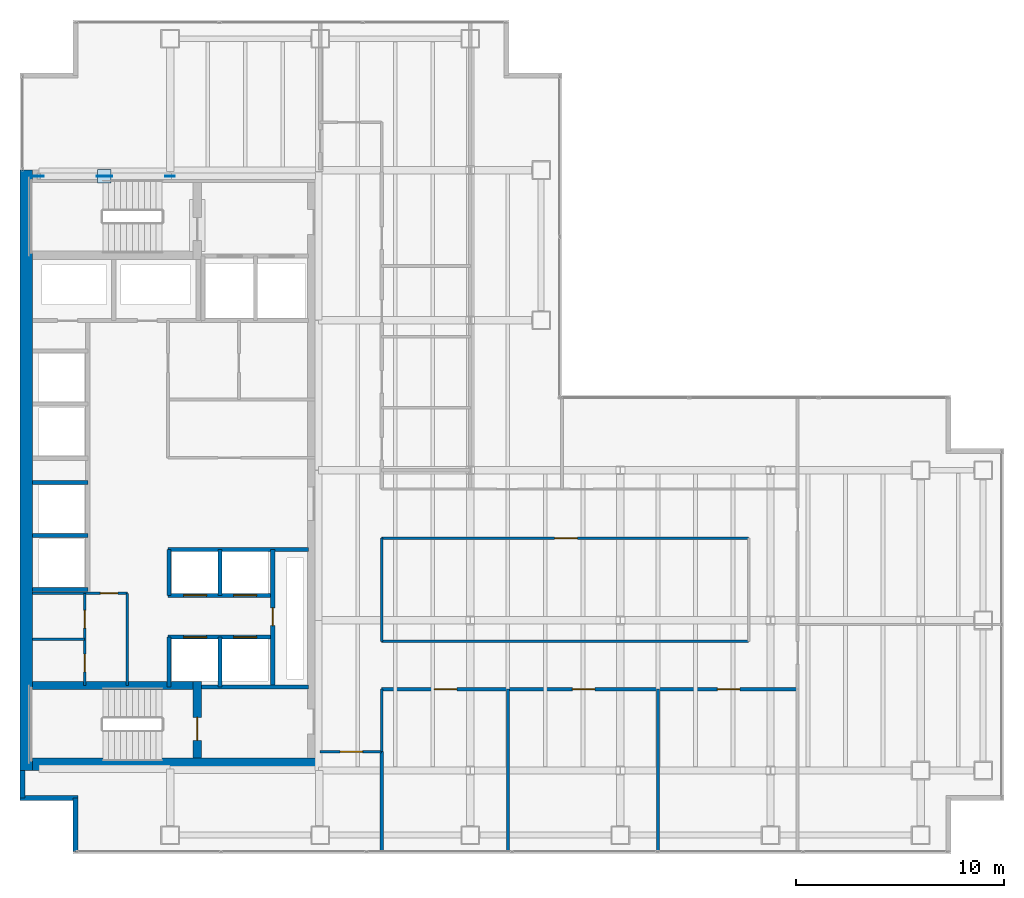
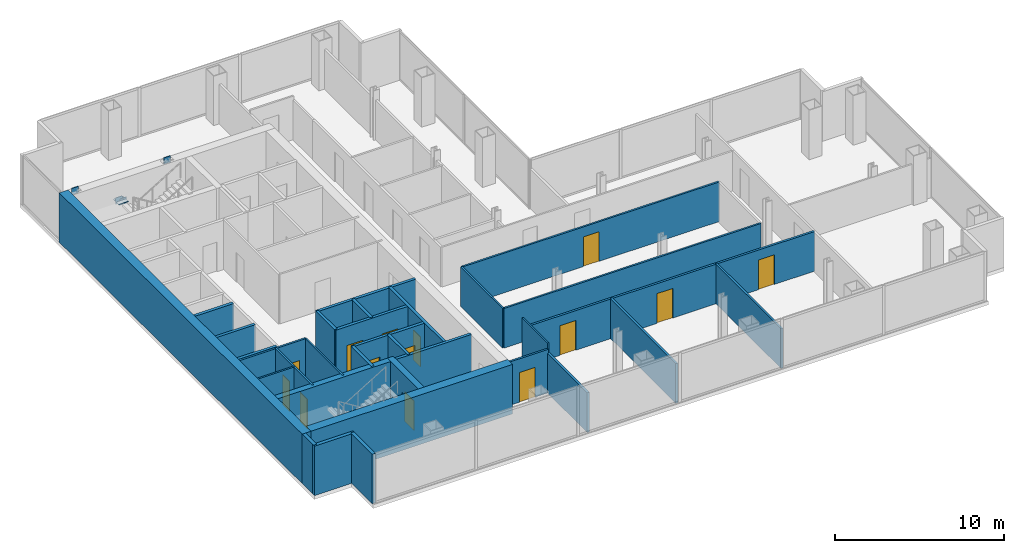
# One storey, part 20 of 23: 32 walls, 14 doors, 5 plates, 14 openings.
"""IFC4 building model written with IfcOpenShell, lengths in metres."""

from ifc_helpers import new_model, si_unit, direction, frame, frame_2d, origin, origin_2d, place, context, subcontext, project, spatial, rectangle, extrude, material, layer, layer_set, type_object, element, fill, save


model = new_model("IFC4")

# Units and contexts
model_context = context("Model", 3, precision=1e-05, world=origin(), true_north=direction((0.0, 1.0)))
body_context = subcontext(model_context, "Body", "Model", "MODEL_VIEW")
ifc_project = project(units=[si_unit("LENGTHUNIT", "METRE"), si_unit("AREAUNIT", "SQUARE_METRE"), si_unit("VOLUMEUNIT", "CUBIC_METRE"), si_unit("PLANEANGLEUNIT", "RADIAN"), si_unit("MASSUNIT", "GRAM", prefix="KILO")], contexts=[model_context])

# Site, building, storey
site_placement = place(None, origin())
site = spatial("IfcSite", under=ifc_project, at=site_placement, CompositionType="ELEMENT")
building_placement = place(site_placement, origin())
building = spatial("IfcBuilding", under=site, at=building_placement, Name="Cobrela Telecom Tower", CompositionType="ELEMENT")
storey_placement = place(building_placement, frame((0.0, 0.0, 133.0)))
storey = spatial("IfcBuildingStorey", under=building, at=storey_placement, Name="L33", CompositionType="ELEMENT", Elevation=133.0)

# Plates
ifc_material_1 = material(Name="Steel ASTM A572 Grade 50", Category="steel")
ifc_layer_1 = layer(ifc_material_1, 0.0419921875)
ifc_layer_set_1 = layer_set([ifc_layer_1], Name="Steel ASTM A572 Grade 50")
plate_type = type_object("IfcPlateType", Name="PLT-NODE-ND1", PredefinedType="USERDEFINED", material=ifc_layer_set_1)
for number, where, z_axis, x_axis, name in (
    (1, (7.199951171875, 35.699951171875, 3.39013671875), (0.0, 0.0, 1.0), (1.0, 0.0, 0.0), "Steel node plate PLT-MBR-EXO-L33-N1-A-1"),
    (2, (4.1953125, 35.699951171875, 1.4755859375), (0.0, 0.0, 1.0), (-1.0, 0.0, 0.0), "Steel node plate PLT-MBR-EXO-L33-N1-B1-1"),
    (3, (3.90478515625, 35.699951171875, 1.64453125), (0.0, 0.0, 1.0), (-1.0, 0.0, 0.0), "Steel node plate PLT-MBR-EXO-L33-N1-B2-0"),
    (4, (0.89990234375, 35.699951171875, 3.39013671875), (0.0, 0.0, 1.0), (-1.0, 0.0, 0.0), "Steel node plate PLT-MBR-EXO-L33-N1-B2-1"),
):
    element("IfcPlate", number, at=place(storey_placement, frame(where, z_axis=z_axis, x_axis=x_axis)), inside=storey, type_object=plate_type, Name=name, ObjectType="GUSSET PLATE", PredefinedType="USERDEFINED", context=body_context, shape_type="SweptSolid", body=[
        extrude(rectangle(XDim=0.4599609375, YDim=0.044921875, at=origin_2d()), origin(), (0.0, 0.0, 1.0), 0.4599609375),
    ])
plate_placement = place(storey_placement, frame((4.050048828125, 35.699951171875, 1.767578125), z_axis=(0.0, 0.0, 1.0), x_axis=(1.0, 0.0, 0.0)))
element("IfcPlate", 5, at=plate_placement, inside=storey, type_object=plate_type, Name="L33 Core Flange Steel X-Brace Central X-Crossing Gusset Plate", ObjectType="GUSSET PLATE", PredefinedType="USERDEFINED", context=body_context, shape_type="SweptSolid", body=[
    extrude(rectangle(XDim=0.64990234375, YDim=0.64990234375, at=origin_2d()), origin(), (0.0, 0.0, 1.0), 0.044921875),
])

# Walls
ifc_material_2 = material(Name="Concrete C50/60", Category="concrete")
ifc_layer_2 = layer(ifc_material_2, 0.60009765625)
ifc_layer_set_2 = layer_set([ifc_layer_2], Name="Concrete C50/60")
wall_type_1 = type_object("IfcWallType", Name="WALL-CORE-C50-600", PredefinedType="SHEAR", material=ifc_layer_set_2)
wall_1_placement = place(storey_placement, frame((0.300048828125, 7.199951171875, 0.0), z_axis=(0.0, 0.0, 1.0), x_axis=(0.0, 1.0, 0.0)))
element("IfcWall", 6, at=wall_1_placement, inside=storey, type_object=wall_type_1, Name="L33 West Core Shear Wall", PredefinedType="SHEAR", context=body_context, shape_type="SweptSolid", body=[
    extrude(rectangle(XDim=28.800048828125, YDim=0.60009765625, at=frame_2d((14.39990234375, 0.0))), origin(), (0.0, 0.0, 1.0), 3.580078125),
])
wall_2_placement = place(storey_placement, frame((0.60009765625, 7.5, 0.0), z_axis=(0.0, 0.0, 1.0), x_axis=(1.0, 0.0, 0.0)))
element("IfcWall", 7, at=wall_2_placement, inside=storey, type_object=wall_type_1, Name="L33 South Core Shear Wall", PredefinedType="SHEAR", context=body_context, shape_type="SweptSolid", body=[
    extrude(rectangle(XDim=13.7998046875, YDim=0.60009765625, at=frame_2d((6.89990234375, 0.0))), origin(), (0.0, 0.0, 1.0), 3.580078125),
])
ifc_material_3 = material(Name="Concrete C40/50", Category="concrete")
ifc_layer_3 = layer(ifc_material_3, 0.239990234375)
ifc_layer_set_3 = layer_set([ifc_layer_3], Name="Concrete C40/50")
wall_type_2 = type_object("IfcWallType", Name="WALL-EXT-300", PredefinedType="STANDARD", material=ifc_layer_set_3)
wall_3_placement = place(storey_placement, frame((2.669921875, 3.320068359375, 0.0), z_axis=(0.0, 0.0, 1.0), x_axis=(0.0, 1.0, 0.0)))
element("IfcWall", 8, at=wall_3_placement, inside=storey, type_object=wall_type_2, Name="L33 Insulated Facade Wall 01", PredefinedType="STANDARD", context=body_context, shape_type="SweptSolid", body=[
    extrude(rectangle(XDim=2.550048828125, YDim=0.239990234375, at=frame_2d((1.27490234375, 0.0))), origin(), (0.0, 0.0, 1.0), 3.580078125),
])
wall_4_placement = place(storey_placement, frame((2.7900390625, 5.8701171875, 0.0), z_axis=(0.0, 0.0, 1.0), x_axis=(-1.0, 0.0, 0.0)))
element("IfcWall", 9, at=wall_4_placement, inside=storey, type_object=wall_type_2, Name="L33 Insulated Facade Wall 02", PredefinedType="STANDARD", context=body_context, shape_type="SweptSolid", body=[
    extrude(rectangle(XDim=2.7900390625, YDim=0.239990234375, at=frame_2d((1.39501953125, 0.0))), origin(), (0.0, 0.0, 1.0), 3.580078125),
])
wall_5_placement = place(storey_placement, frame((0.1201171875, 5.8701171875, 0.0), z_axis=(0.0, 0.0, 1.0), x_axis=(0.0, 1.0, 0.0)))
element("IfcWall", 10, at=wall_5_placement, inside=storey, type_object=wall_type_2, Name="L33 Insulated Facade Wall 03", PredefinedType="STANDARD", context=body_context, shape_type="SweptSolid", body=[
    extrude(rectangle(XDim=1.329833984375, YDim=0.239990234375, at=frame_2d((0.6650390625, 0.0))), origin(), (0.0, 0.0, 1.0), 3.580078125),
])
ifc_material_4 = material(Name="Fire-Rated Gypsum Plasterboard")
ifc_layer_4 = layer(ifc_material_4, 0.110107421875)
ifc_layer_set_4 = layer_set([ifc_layer_4], Name="Fire-Rated Gypsum Plasterboard")
wall_type_3 = type_object("IfcWallType", Name="WALL-PART-110", PredefinedType="PARTITIONING", material=ifc_layer_set_4)
wall_6_placement = place(storey_placement, frame((5.14990234375, 11.280029296875, 0.0), z_axis=(0.0, 0.0, 1.0), x_axis=(0.0, 1.0, 0.0)))
element("IfcWall", 11, at=wall_6_placement, inside=storey, type_object=wall_type_3, Name="L33 Interior Partition CW-FLEX-E", PredefinedType="PARTITIONING", context=body_context, shape_type="SweptSolid", body=[
    extrude(rectangle(XDim=4.419921875, YDim=0.110107421875, at=frame_2d((2.2099609375, 0.0))), origin(), (0.0, 0.0, 1.0), 3.580078125),
])
wall_7_placement = place(storey_placement, frame((17.35009765625, 8.10009765625, 0.0), z_axis=(0.0, 0.0, 1.0), x_axis=(0.0, 1.0, 0.0)))
element("IfcWall", 12, at=wall_7_placement, inside=storey, type_object=wall_type_3, Name="L33 Interior Partition W-UW-E1", PredefinedType="PARTITIONING", context=body_context, shape_type="SweptSolid", body=[
    extrude(rectangle(XDim=3.0, YDim=0.110107421875, at=frame_2d((1.5, 0.0))), origin(), (0.0, 0.0, 1.0), 3.580078125),
])
ifc_layer_5 = layer(ifc_material_4, 0.125)
ifc_layer_set_5 = layer_set([ifc_layer_5], Name="Fire-Rated Gypsum Plasterboard")
wall_type_4 = type_object("IfcWallType", Name="WALL-PART-125", PredefinedType="PARTITIONING", material=ifc_layer_set_5)
wall_8_placement = place(storey_placement, frame((0.60009765625, 13.5, 0.0), z_axis=(0.0, 0.0, 1.0), x_axis=(1.0, 0.0, 0.0)))
element("IfcWall", 13, at=wall_8_placement, inside=storey, type_object=wall_type_4, Name="L33 Interior Partition CW-FK3-H", PredefinedType="PARTITIONING", context=body_context, shape_type="SweptSolid", body=[
    extrude(rectangle(XDim=2.5, YDim=0.125, at=frame_2d((1.25, 0.0))), origin(), (0.0, 0.0, 1.0), 3.580078125),
])

# Wall, openings, doors
wall_9_placement = place(storey_placement, frame((3.10009765625, 11.280029296875, 0.0), z_axis=(0.0, 0.0, 1.0), x_axis=(0.0, 1.0, 0.0)))
wall_9 = element("IfcWall", 14, at=wall_9_placement, inside=storey, type_object=wall_type_4, Name="L33 Interior Partition CW-FK3-V", PredefinedType="PARTITIONING", context=body_context, shape_type="SweptSolid", body=[
    extrude(rectangle(XDim=4.419921875, YDim=0.125, at=frame_2d((2.2099609375, 0.0))), origin(), (0.0, 0.0, 1.0), 3.580078125),
])
opening_1_placement = place(wall_9_placement, frame((0.64990234375, 0.0, 0.0)))
opening_1 = element("IfcOpeningElement", 15, at=opening_1_placement, cuts=wall_9, Name="Opening DR-11", PredefinedType="OPENING", context=body_context, shape_type="SweptSolid", body=[
    extrude(rectangle(XDim=0.85009765625, YDim=2.14990234375, at=frame_2d((0.425048828125, 1.074951171875))), frame((0.0, 0.074462890625, 0.0), z_axis=(0.0, -1.0, 0.0), x_axis=(1.0, 0.0, 0.0)), (0.0, 0.0, 1.0), 0.14892578125),
])
opening_2_placement = place(wall_9_placement, frame((2.75, 0.0, 0.0)))
opening_2 = element("IfcOpeningElement", 16, at=opening_2_placement, cuts=wall_9, Name="Opening DR-11", PredefinedType="OPENING", context=body_context, shape_type="SweptSolid", body=[
    extrude(rectangle(XDim=0.85009765625, YDim=2.14990234375, at=frame_2d((0.425048828125, 1.074951171875))), frame((0.0, 0.074462890625, 0.0), z_axis=(0.0, -1.0, 0.0), x_axis=(1.0, 0.0, 0.0)), (0.0, 0.0, 1.0), 0.14892578125),
])
ifc_material_5 = material(Name="Solid Engineered Oak Timber", Category="wood")
door_type_1 = type_object("IfcDoorType", Name="DOOR-INT-850", OperationType="SINGLE_SWING_LEFT", PredefinedType="DOOR", material=ifc_material_5)
door_1_placement = place(opening_1_placement, origin())
door_1 = element("IfcDoor", 17, at=door_1_placement, inside=storey, type_object=door_type_1, Name="L33 Door DR-11", OperationType="SINGLE_SWING_LEFT", OverallHeight=2.14990234375, OverallWidth=0.85009765625, PredefinedType="DOOR", context=body_context, shape_type="SweptSolid", body=[
    extrude(rectangle(XDim=0.85009765625, YDim=2.14990234375, at=frame_2d((0.425048828125, 1.074951171875))), frame((0.0, 0.02490234375, 0.0), z_axis=(0.0, -1.0, 0.0), x_axis=(1.0, 0.0, 0.0)), (0.0, 0.0, 1.0), 0.050048828125),
])
fill(opening_1, door_1)
door_2_placement = place(opening_2_placement, origin())
door_2 = element("IfcDoor", 18, at=door_2_placement, inside=storey, type_object=door_type_1, Name="L33 Door DR-11", OperationType="SINGLE_SWING_RIGHT", OverallHeight=2.14990234375, OverallWidth=0.85009765625, PredefinedType="DOOR", context=body_context, shape_type="SweptSolid", body=[
    extrude(rectangle(XDim=0.85009765625, YDim=2.14990234375, at=frame_2d((0.425048828125, 1.074951171875))), frame((0.0, 0.02490234375, 0.0), z_axis=(0.0, -1.0, 0.0), x_axis=(1.0, 0.0, 0.0)), (0.0, 0.0, 1.0), 0.050048828125),
])
fill(opening_2, door_2)

# Walls
wall_10_placement = place(storey_placement, frame((17.35009765625, 13.39990234375, 0.0), z_axis=(0.0, 0.0, 1.0), x_axis=(0.0, 1.0, 0.0)))
element("IfcWall", 19, at=wall_10_placement, inside=storey, type_object=wall_type_4, Name="L33 Interior Partition W-ISL-W", PredefinedType="PARTITIONING", context=body_context, shape_type="SweptSolid", body=[
    extrude(rectangle(XDim=4.9501953125, YDim=0.125, at=frame_2d((2.47509765625, 0.0))), origin(), (0.0, 0.0, 1.0), 2.868896484375),
])
wall_11_placement = place(storey_placement, frame((17.35009765625, 13.39990234375, 0.0), z_axis=(0.0, 0.0, 1.0), x_axis=(1.0, 0.0, 0.0)))
element("IfcWall", 20, at=wall_11_placement, inside=storey, type_object=wall_type_4, Name="L33 Interior Partition W-ISL-S", PredefinedType="PARTITIONING", context=body_context, shape_type="SweptSolid", body=[
    extrude(rectangle(XDim=17.599853515625, YDim=0.125, at=frame_2d((8.7998046875, 0.0))), origin(), (0.0, 0.0, 1.0), 2.868896484375),
])

# Wall, opening, door
wall_12_placement = place(storey_placement, frame((17.35009765625, 18.35009765625, 0.0), z_axis=(0.0, 0.0, 1.0), x_axis=(1.0, 0.0, 0.0)))
wall_12 = element("IfcWall", 21, at=wall_12_placement, inside=storey, type_object=wall_type_4, Name="L33 Interior Partition W-ISL-N", PredefinedType="PARTITIONING", context=body_context, shape_type="SweptSolid", body=[
    extrude(rectangle(XDim=17.599853515625, YDim=0.125, at=frame_2d((8.7998046875, 0.0))), origin(), (0.0, 0.0, 1.0), 2.868896484375),
])
opening_3_placement = place(wall_12_placement, frame((8.300048828125, 0.0, 0.0)))
opening_3 = element("IfcOpeningElement", 22, at=opening_3_placement, cuts=wall_12, Name="Opening DR-63", PredefinedType="OPENING", context=body_context, shape_type="SweptSolid", body=[
    extrude(rectangle(XDim=1.080078125, YDim=2.14990234375, at=frame_2d((0.5400390625, 1.074951171875))), frame((0.0, 0.074462890625, 0.0), z_axis=(0.0, -1.0, 0.0), x_axis=(1.0, 0.0, 0.0)), (0.0, 0.0, 1.0), 0.14892578125),
])
door_type_2 = type_object("IfcDoorType", Name="DOOR-INT-1080", OperationType="SINGLE_SWING_LEFT", PredefinedType="DOOR", material=ifc_material_5)
door_3_placement = place(opening_3_placement, origin())
door_3 = element("IfcDoor", 23, at=door_3_placement, inside=storey, type_object=door_type_2, Name="L33 Door DR-63", OperationType="SINGLE_SWING_LEFT", OverallHeight=2.14990234375, OverallWidth=1.080078125, PredefinedType="DOOR", context=body_context, shape_type="SweptSolid", body=[
    extrude(rectangle(XDim=1.080078125, YDim=2.14990234375, at=frame_2d((0.5400390625, 1.074951171875))), frame((0.0, 0.02490234375, 0.0), z_axis=(0.0, -1.0, 0.0), x_axis=(1.0, 0.0, 0.0)), (0.0, 0.0, 1.0), 0.050048828125),
])
fill(opening_3, door_3)

ifc_layer_6 = layer(ifc_material_4, 0.135009765625)
ifc_layer_set_6 = layer_set([ifc_layer_6], Name="Fire-Rated Gypsum Plasterboard")
wall_type_5 = type_object("IfcWallType", Name="WALL-PART-135", PredefinedType="PARTITIONING", material=ifc_layer_set_6)
wall_13_placement = place(storey_placement, frame((0.60009765625, 15.699951171875, 0.0), z_axis=(0.0, 0.0, 1.0), x_axis=(1.0, 0.0, 0.0)))
wall_13 = element("IfcWall", 24, at=wall_13_placement, inside=storey, type_object=wall_type_5, Name="L33 Interior Partition CW-FLEX-N", PredefinedType="PARTITIONING", context=body_context, shape_type="SweptSolid", body=[
    extrude(rectangle(XDim=4.5498046875, YDim=0.135009765625, at=frame_2d((2.27490234375, 0.0))), origin(), (0.0, 0.0, 1.0), 3.580078125),
])
opening_4_placement = place(wall_13_placement, frame((3.25, 0.0, 0.0)))
opening_4 = element("IfcOpeningElement", 25, at=opening_4_placement, cuts=wall_13, Name="Opening DR-11", PredefinedType="OPENING", context=body_context, shape_type="SweptSolid", body=[
    extrude(rectangle(XDim=0.85009765625, YDim=2.14990234375, at=frame_2d((0.425048828125, 1.074951171875))), frame((0.0, 0.07958984375, 0.0), z_axis=(0.0, -1.0, 0.0), x_axis=(1.0, 0.0, 0.0)), (0.0, 0.0, 1.0), 0.158935546875),
])
door_4_placement = place(opening_4_placement, origin())
door_4 = element("IfcDoor", 26, at=door_4_placement, inside=storey, type_object=door_type_1, Name="L33 Door DR-11", OperationType="SINGLE_SWING_LEFT", OverallHeight=2.14990234375, OverallWidth=0.85009765625, PredefinedType="DOOR", context=body_context, shape_type="SweptSolid", body=[
    extrude(rectangle(XDim=0.85009765625, YDim=2.14990234375, at=frame_2d((0.425048828125, 1.074951171875))), frame((0.0, 0.02490234375, 0.0), z_axis=(0.0, -1.0, 0.0), x_axis=(1.0, 0.0, 0.0)), (0.0, 0.0, 1.0), 0.050048828125),
])
fill(opening_4, door_4)

wall_14_placement = place(storey_placement, frame((14.39990234375, 8.10009765625, 0.0), z_axis=(0.0, 0.0, 1.0), x_axis=(1.0, 0.0, 0.0)))
wall_14 = element("IfcWall", 27, at=wall_14_placement, inside=storey, type_object=wall_type_5, Name="L33 Interior Partition W-UW-S0", PredefinedType="PARTITIONING", context=body_context, shape_type="SweptSolid", body=[
    extrude(rectangle(XDim=2.9501953125, YDim=0.135009765625, at=frame_2d((1.47509765625, 0.0))), origin(), (0.0, 0.0, 1.0), 3.14794921875),
])
opening_5_placement = place(wall_14_placement, frame((0.949951171875, 0.0, 0.0)))
opening_5 = element("IfcOpeningElement", 28, at=opening_5_placement, cuts=wall_14, Name="Opening DR-63", PredefinedType="OPENING", context=body_context, shape_type="SweptSolid", body=[
    extrude(rectangle(XDim=1.080078125, YDim=2.14990234375, at=frame_2d((0.5400390625, 1.074951171875))), frame((0.0, 0.07958984375, 0.0), z_axis=(0.0, -1.0, 0.0), x_axis=(1.0, 0.0, 0.0)), (0.0, 0.0, 1.0), 0.158935546875),
])
door_5_placement = place(opening_5_placement, origin())
door_5 = element("IfcDoor", 29, at=door_5_placement, inside=storey, type_object=door_type_2, Name="L33 Door DR-63", OperationType="SINGLE_SWING_RIGHT", OverallHeight=2.14990234375, OverallWidth=1.080078125, PredefinedType="DOOR", context=body_context, shape_type="SweptSolid", body=[
    extrude(rectangle(XDim=1.080078125, YDim=2.14990234375, at=frame_2d((0.5400390625, 1.074951171875))), frame((0.0, 0.02490234375, 0.0), z_axis=(0.0, -1.0, 0.0), x_axis=(1.0, 0.0, 0.0)), (0.0, 0.0, 1.0), 0.050048828125),
])
fill(opening_5, door_5)

# Wall
wall_15_placement = place(storey_placement, frame((30.60009765625, 3.320068359375, 0.0), z_axis=(0.0, 0.0, 1.0), x_axis=(0.0, 1.0, 0.0)))
element("IfcWall", 30, at=wall_15_placement, inside=storey, type_object=wall_type_5, Name="L33 Interior Partition W-USV-2", PredefinedType="PARTITIONING", context=body_context, shape_type="SweptSolid", body=[
    extrude(rectangle(XDim=7.780029296875, YDim=0.135009765625, at=frame_2d((3.89013671875, 0.0))), origin(), (0.0, 0.0, 1.0), 2.868896484375),
])

# Wall, openings, doors
ifc_layer_7 = layer(ifc_material_4, 0.14990234375)
ifc_layer_set_7 = layer_set([ifc_layer_7], Name="Fire-Rated Gypsum Plasterboard")
wall_type_6 = type_object("IfcWallType", Name="WALL-PART-150", PredefinedType="PARTITIONING", material=ifc_layer_set_7)
wall_16_placement = place(storey_placement, frame((17.35009765625, 11.10009765625, 0.0), z_axis=(0.0, 0.0, 1.0), x_axis=(1.0, 0.0, 0.0)))
wall_16 = element("IfcWall", 31, at=wall_16_placement, inside=storey, type_object=wall_type_6, Name="L33 Interior Partition W-US-S", PredefinedType="PARTITIONING", context=body_context, shape_type="SweptSolid", body=[
    extrude(rectangle(XDim=19.949951171875, YDim=0.14990234375, at=frame_2d((9.97509765625, 0.0))), origin(), (0.0, 0.0, 1.0), 2.868896484375),
])
opening_6_placement = place(wall_16_placement, frame((2.52001953125, 0.0, 0.0)))
opening_6 = element("IfcOpeningElement", 32, at=opening_6_placement, cuts=wall_16, Name="Opening DR-63", PredefinedType="OPENING", context=body_context, shape_type="SweptSolid", body=[
    extrude(rectangle(XDim=1.080078125, YDim=2.14990234375, at=frame_2d((0.5400390625, 1.074951171875))), frame((0.0, 0.0869140625, 0.0), z_axis=(0.0, -1.0, 0.0), x_axis=(1.0, 0.0, 0.0)), (0.0, 0.0, 1.0), 0.173828125),
])
opening_7_placement = place(wall_16_placement, frame((9.14990234375, 0.0, 0.0)))
opening_7 = element("IfcOpeningElement", 33, at=opening_7_placement, cuts=wall_16, Name="Opening DR-63", PredefinedType="OPENING", context=body_context, shape_type="SweptSolid", body=[
    extrude(rectangle(XDim=1.080078125, YDim=2.14990234375, at=frame_2d((0.5400390625, 1.074951171875))), frame((0.0, 0.0869140625, 0.0), z_axis=(0.0, -1.0, 0.0), x_axis=(1.0, 0.0, 0.0)), (0.0, 0.0, 1.0), 0.173828125),
])
opening_8_placement = place(wall_16_placement, frame((16.10009765625, 0.0, 0.0)))
opening_8 = element("IfcOpeningElement", 34, at=opening_8_placement, cuts=wall_16, Name="Opening DR-63", PredefinedType="OPENING", context=body_context, shape_type="SweptSolid", body=[
    extrude(rectangle(XDim=1.080078125, YDim=2.14990234375, at=frame_2d((0.5400390625, 1.074951171875))), frame((0.0, 0.0869140625, 0.0), z_axis=(0.0, -1.0, 0.0), x_axis=(1.0, 0.0, 0.0)), (0.0, 0.0, 1.0), 0.173828125),
])
door_6_placement = place(opening_6_placement, origin())
door_6 = element("IfcDoor", 35, at=door_6_placement, inside=storey, type_object=door_type_2, Name="L33 Door DR-63", OperationType="SINGLE_SWING_LEFT", OverallHeight=2.14990234375, OverallWidth=1.080078125, PredefinedType="DOOR", context=body_context, shape_type="SweptSolid", body=[
    extrude(rectangle(XDim=1.080078125, YDim=2.14990234375, at=frame_2d((0.5400390625, 1.074951171875))), frame((0.0, 0.02490234375, 0.0), z_axis=(0.0, -1.0, 0.0), x_axis=(1.0, 0.0, 0.0)), (0.0, 0.0, 1.0), 0.050048828125),
])
fill(opening_6, door_6)
door_7_placement = place(opening_7_placement, origin())
door_7 = element("IfcDoor", 36, at=door_7_placement, inside=storey, type_object=door_type_2, Name="L33 Door DR-63", OperationType="SINGLE_SWING_RIGHT", OverallHeight=2.14990234375, OverallWidth=1.080078125, PredefinedType="DOOR", context=body_context, shape_type="SweptSolid", body=[
    extrude(rectangle(XDim=1.080078125, YDim=2.14990234375, at=frame_2d((0.5400390625, 1.074951171875))), frame((0.0, 0.02490234375, 0.0), z_axis=(0.0, -1.0, 0.0), x_axis=(1.0, 0.0, 0.0)), (0.0, 0.0, 1.0), 0.050048828125),
])
fill(opening_7, door_7)
door_8_placement = place(opening_8_placement, origin())
door_8 = element("IfcDoor", 37, at=door_8_placement, inside=storey, type_object=door_type_2, Name="L33 Door DR-63", OperationType="SINGLE_SWING_LEFT", OverallHeight=2.14990234375, OverallWidth=1.080078125, PredefinedType="DOOR", context=body_context, shape_type="SweptSolid", body=[
    extrude(rectangle(XDim=1.080078125, YDim=2.14990234375, at=frame_2d((0.5400390625, 1.074951171875))), frame((0.0, 0.02490234375, 0.0), z_axis=(0.0, -1.0, 0.0), x_axis=(1.0, 0.0, 0.0)), (0.0, 0.0, 1.0), 0.050048828125),
])
fill(opening_8, door_8)

# Walls
wall_17_placement = place(storey_placement, frame((23.39990234375, 3.320068359375, 0.0), z_axis=(0.0, 0.0, 1.0), x_axis=(0.0, 1.0, 0.0)))
element("IfcWall", 38, at=wall_17_placement, inside=storey, type_object=wall_type_6, Name="L33 Interior Partition W-USV-1", PredefinedType="PARTITIONING", context=body_context, shape_type="SweptSolid", body=[
    extrude(rectangle(XDim=7.780029296875, YDim=0.14990234375, at=frame_2d((3.89013671875, 0.0))), origin(), (0.0, 0.0, 1.0), 2.868896484375),
])
ifc_layer_8 = layer(ifc_material_4, 0.159912109375)
ifc_layer_set_8 = layer_set([ifc_layer_8], Name="Fire-Rated Gypsum Plasterboard")
wall_type_7 = type_object("IfcWallType", Name="WALL-PART-160", PredefinedType="PARTITIONING", material=ifc_layer_set_8)
wall_18_placement = place(storey_placement, frame((17.35009765625, 3.320068359375, 0.0), z_axis=(0.0, 0.0, 1.0), x_axis=(0.0, 1.0, 0.0)))
element("IfcWall", 39, at=wall_18_placement, inside=storey, type_object=wall_type_7, Name="L33 Interior Partition W-USW-E", PredefinedType="PARTITIONING", context=body_context, shape_type="SweptSolid", body=[
    extrude(rectangle(XDim=4.780029296875, YDim=0.159912109375, at=frame_2d((2.39013671875, 0.0))), origin(), (0.0, 0.0, 1.0), 2.868896484375),
])
ifc_layer_9 = layer(ifc_material_4, 0.199951171875)
ifc_layer_set_9 = layer_set([ifc_layer_9], Name="Fire-Rated Gypsum Plasterboard")
wall_type_8 = type_object("IfcWallType", Name="WALL-SHAFT-200", PredefinedType="PARTITIONING", material=ifc_layer_set_9)
wall_19_placement = place(storey_placement, frame((8.699951171875, 11.199951171875, 0.0), z_axis=(0.0, 0.0, 1.0), x_axis=(1.0, 0.0, 0.0)))
element("IfcWall", 40, at=wall_19_placement, inside=storey, type_object=wall_type_8, Name="L33 Shaft Enclosure CW-ST2L-N", PredefinedType="PARTITIONING", context=body_context, shape_type="SweptSolid", body=[
    extrude(rectangle(XDim=5.150146484375, YDim=0.199951171875, at=frame_2d((2.5751953125, 0.0))), origin(), (0.0, 0.0, 1.0), 3.580078125),
])
for number, where, z_axis, x_axis, name in (
    (41, (0.60009765625, 15.8798828125, 0.0), (0.0, 0.0, 1.0), (1.0, 0.0, 0.0), "L33 Shaft Enclosure CW-PLH-D9"),
    (42, (0.60009765625, 18.47998046875, 0.0), (0.0, 0.0, 1.0), (1.0, 0.0, 0.0), "L33 Shaft Enclosure CW-PLH-D10"),
    (43, (0.60009765625, 21.02001953125, 0.0), (0.0, 0.0, 1.0), (1.0, 0.0, 0.0), "L33 Shaft Enclosure CW-PLH-MID"),
):
    element("IfcWall", number, at=place(storey_placement, frame(where, z_axis=z_axis, x_axis=x_axis)), inside=storey, type_object=wall_type_8, Name=name, PredefinedType="PARTITIONING", context=body_context, shape_type="SweptSolid", body=[
        extrude(rectangle(XDim=2.64990234375, YDim=0.199951171875, at=frame_2d((1.324951171875, 0.0))), origin(), (0.0, 0.0, 1.0), 3.580078125),
    ])
wall_20_placement = place(storey_placement, frame((7.10009765625, 17.800048828125, 0.0), z_axis=(0.0, 0.0, 1.0), x_axis=(1.0, 0.0, 0.0)))
element("IfcWall", 44, at=wall_20_placement, inside=storey, type_object=wall_type_8, Name="L33 Shaft Enclosure CW-PLM-T0", PredefinedType="PARTITIONING", context=body_context, shape_type="SweptSolid", body=[
    extrude(rectangle(XDim=6.75, YDim=0.199951171875, at=frame_2d((3.375, 0.0))), origin(), (0.0, 0.0, 1.0), 3.580078125),
])

# Wall, openings, doors
wall_21_placement = place(storey_placement, frame((7.10009765625, 15.60009765625, 0.0), z_axis=(0.0, 0.0, 1.0), x_axis=(1.0, 0.0, 0.0)))
wall_21 = element("IfcWall", 45, at=wall_21_placement, inside=storey, type_object=wall_type_8, Name="L33 Shaft Enclosure CW-PLM-N", PredefinedType="PARTITIONING", context=body_context, shape_type="SweptSolid", body=[
    extrude(rectangle(XDim=5.02001953125, YDim=0.199951171875, at=frame_2d((2.510009765625, 0.0))), origin(), (0.0, 0.0, 1.0), 3.580078125),
])
opening_9_placement = place(wall_21_placement, frame((0.75, 0.0, 0.0)))
opening_9 = element("IfcOpeningElement", 46, at=opening_9_placement, cuts=wall_21, Name="Opening LD-1", PredefinedType="OPENING", context=body_context, shape_type="SweptSolid", body=[
    extrude(rectangle(XDim=1.10009765625, YDim=2.199951171875, at=frame_2d((0.550048828125, 1.10009765625))), frame((0.0, 0.11181640625, 0.0), z_axis=(0.0, -1.0, 0.0), x_axis=(1.0, 0.0, 0.0)), (0.0, 0.0, 1.0), 0.223876953125),
])
opening_10_placement = place(wall_21_placement, frame((3.14990234375, 0.0, 0.0)))
opening_10 = element("IfcOpeningElement", 47, at=opening_10_placement, cuts=wall_21, Name="Opening LD-1", PredefinedType="OPENING", context=body_context, shape_type="SweptSolid", body=[
    extrude(rectangle(XDim=1.10009765625, YDim=2.199951171875, at=frame_2d((0.550048828125, 1.10009765625))), frame((0.0, 0.11181640625, 0.0), z_axis=(0.0, -1.0, 0.0), x_axis=(1.0, 0.0, 0.0)), (0.0, 0.0, 1.0), 0.223876953125),
])
ifc_material_6 = material(Name="Steel ASTM A36", Category="steel")
door_type_3 = type_object("IfcDoorType", Name="DOOR-LD-PL", OperationType="SINGLE_SWING_LEFT", PredefinedType="DOOR", material=ifc_material_6)
door_9_placement = place(opening_9_placement, origin())
door_9 = element("IfcDoor", 48, at=door_9_placement, inside=storey, type_object=door_type_3, Name="L33 Lift Landing Door LD-1", OperationType="DOUBLE_DOOR_SLIDING", OverallHeight=2.199951171875, OverallWidth=1.10009765625, PredefinedType="DOOR", context=body_context, shape_type="SweptSolid", body=[
    extrude(rectangle(XDim=1.10009765625, YDim=2.199951171875, at=frame_2d((0.550048828125, 1.10009765625))), frame((0.0, 0.02490234375, 0.0), z_axis=(0.0, -1.0, 0.0), x_axis=(1.0, 0.0, 0.0)), (0.0, 0.0, 1.0), 0.050048828125),
])
fill(opening_9, door_9)
door_10_placement = place(opening_10_placement, origin())
door_10 = element("IfcDoor", 49, at=door_10_placement, inside=storey, type_object=door_type_3, Name="L33 Lift Landing Door LD-1", OperationType="DOUBLE_DOOR_SLIDING", OverallHeight=2.199951171875, OverallWidth=1.10009765625, PredefinedType="DOOR", context=body_context, shape_type="SweptSolid", body=[
    extrude(rectangle(XDim=1.10009765625, YDim=2.199951171875, at=frame_2d((0.550048828125, 1.10009765625))), frame((0.0, 0.02490234375, 0.0), z_axis=(0.0, -1.0, 0.0), x_axis=(1.0, 0.0, 0.0)), (0.0, 0.0, 1.0), 0.050048828125),
])
fill(opening_10, door_10)

wall_22_placement = place(storey_placement, frame((7.10009765625, 13.60009765625, 0.0), z_axis=(0.0, 0.0, 1.0), x_axis=(1.0, 0.0, 0.0)))
wall_22 = element("IfcWall", 50, at=wall_22_placement, inside=storey, type_object=wall_type_8, Name="L33 Shaft Enclosure CW-PLM-S", PredefinedType="PARTITIONING", context=body_context, shape_type="SweptSolid", body=[
    extrude(rectangle(XDim=5.02001953125, YDim=0.199951171875, at=frame_2d((2.510009765625, 0.0))), origin(), (0.0, 0.0, 1.0), 3.580078125),
])
opening_11_placement = place(wall_22_placement, frame((0.75, 0.0, 0.0)))
opening_11 = element("IfcOpeningElement", 51, at=opening_11_placement, cuts=wall_22, Name="Opening LD-1", PredefinedType="OPENING", context=body_context, shape_type="SweptSolid", body=[
    extrude(rectangle(XDim=1.10009765625, YDim=2.199951171875, at=frame_2d((0.550048828125, 1.10009765625))), frame((0.0, 0.11181640625, 0.0), z_axis=(0.0, -1.0, 0.0), x_axis=(1.0, 0.0, 0.0)), (0.0, 0.0, 1.0), 0.223876953125),
])
opening_12_placement = place(wall_22_placement, frame((3.14990234375, 0.0, 0.0)))
opening_12 = element("IfcOpeningElement", 52, at=opening_12_placement, cuts=wall_22, Name="Opening LD-1", PredefinedType="OPENING", context=body_context, shape_type="SweptSolid", body=[
    extrude(rectangle(XDim=1.10009765625, YDim=2.199951171875, at=frame_2d((0.550048828125, 1.10009765625))), frame((0.0, 0.11181640625, 0.0), z_axis=(0.0, -1.0, 0.0), x_axis=(1.0, 0.0, 0.0)), (0.0, 0.0, 1.0), 0.223876953125),
])
door_11_placement = place(opening_11_placement, origin())
door_11 = element("IfcDoor", 53, at=door_11_placement, inside=storey, type_object=door_type_3, Name="L33 Lift Landing Door LD-1", OperationType="DOUBLE_DOOR_SLIDING", OverallHeight=2.199951171875, OverallWidth=1.10009765625, PredefinedType="DOOR", context=body_context, shape_type="SweptSolid", body=[
    extrude(rectangle(XDim=1.10009765625, YDim=2.199951171875, at=frame_2d((0.550048828125, 1.10009765625))), frame((0.0, 0.02490234375, 0.0), z_axis=(0.0, -1.0, 0.0), x_axis=(1.0, 0.0, 0.0)), (0.0, 0.0, 1.0), 0.050048828125),
])
fill(opening_11, door_11)
door_12_placement = place(opening_12_placement, origin())
door_12 = element("IfcDoor", 54, at=door_12_placement, inside=storey, type_object=door_type_3, Name="L33 Lift Landing Door LD-1", OperationType="DOUBLE_DOOR_SLIDING", OverallHeight=2.199951171875, OverallWidth=1.10009765625, PredefinedType="DOOR", context=body_context, shape_type="SweptSolid", body=[
    extrude(rectangle(XDim=1.10009765625, YDim=2.199951171875, at=frame_2d((0.550048828125, 1.10009765625))), frame((0.0, 0.02490234375, 0.0), z_axis=(0.0, -1.0, 0.0), x_axis=(1.0, 0.0, 0.0)), (0.0, 0.0, 1.0), 0.050048828125),
])
fill(opening_12, door_12)

# Walls
wall_23_placement = place(storey_placement, frame((7.14990234375, 15.60009765625, 0.0), z_axis=(0.0, 0.0, 1.0), x_axis=(0.0, 1.0, 0.0)))
element("IfcWall", 55, at=wall_23_placement, inside=storey, type_object=wall_type_8, Name="L33 Shaft Enclosure CW-PLM-V1", PredefinedType="PARTITIONING", context=body_context, shape_type="SweptSolid", body=[
    extrude(rectangle(XDim=2.199951171875, YDim=0.199951171875, at=frame_2d((1.10009765625, 0.0))), origin(), (0.0, 0.0, 1.0), 3.580078125),
])
wall_24_placement = place(storey_placement, frame((7.14990234375, 11.199951171875, 0.0), z_axis=(0.0, 0.0, 1.0), x_axis=(0.0, 1.0, 0.0)))
element("IfcWall", 56, at=wall_24_placement, inside=storey, type_object=wall_type_8, Name="L33 Shaft Enclosure CW-PLM-V1B", PredefinedType="PARTITIONING", context=body_context, shape_type="SweptSolid", body=[
    extrude(rectangle(XDim=2.400146484375, YDim=0.199951171875, at=frame_2d((1.2001953125, 0.0))), origin(), (0.0, 0.0, 1.0), 3.580078125),
])
wall_25_placement = place(storey_placement, frame((9.60009765625, 15.60009765625, 0.0), z_axis=(0.0, 0.0, 1.0), x_axis=(0.0, 1.0, 0.0)))
element("IfcWall", 57, at=wall_25_placement, inside=storey, type_object=wall_type_8, Name="L33 Shaft Enclosure CW-PLM-V2", PredefinedType="PARTITIONING", context=body_context, shape_type="SweptSolid", body=[
    extrude(rectangle(XDim=2.199951171875, YDim=0.199951171875, at=frame_2d((1.10009765625, 0.0))), origin(), (0.0, 0.0, 1.0), 3.580078125),
])
wall_26_placement = place(storey_placement, frame((9.60009765625, 11.199951171875, 0.0), z_axis=(0.0, 0.0, 1.0), x_axis=(0.0, 1.0, 0.0)))
element("IfcWall", 58, at=wall_26_placement, inside=storey, type_object=wall_type_8, Name="L33 Shaft Enclosure CW-PLM-V2B", PredefinedType="PARTITIONING", context=body_context, shape_type="SweptSolid", body=[
    extrude(rectangle(XDim=2.400146484375, YDim=0.199951171875, at=frame_2d((1.2001953125, 0.0))), origin(), (0.0, 0.0, 1.0), 3.580078125),
])

# Wall, opening, door
wall_27_placement = place(storey_placement, frame((12.1201171875, 11.199951171875, 0.0), z_axis=(0.0, 0.0, 1.0), x_axis=(0.0, 1.0, 0.0)))
wall_27 = element("IfcWall", 59, at=wall_27_placement, inside=storey, type_object=wall_type_8, Name="L33 Shaft Enclosure CW-PLM-V3", PredefinedType="PARTITIONING", context=body_context, shape_type="SweptSolid", body=[
    extrude(rectangle(XDim=6.60009765625, YDim=0.199951171875, at=frame_2d((3.300048828125, 0.0))), origin(), (0.0, 0.0, 1.0), 3.580078125),
])
opening_13_placement = place(wall_27_placement, frame((2.949951171875, 0.0, 0.0)))
opening_13 = element("IfcOpeningElement", 60, at=opening_13_placement, cuts=wall_27, Name="Opening DR-11", PredefinedType="OPENING", context=body_context, shape_type="SweptSolid", body=[
    extrude(rectangle(XDim=0.85009765625, YDim=2.14990234375, at=frame_2d((0.425048828125, 1.074951171875))), frame((0.0, 0.11181640625, 0.0), z_axis=(0.0, -1.0, 0.0), x_axis=(1.0, 0.0, 0.0)), (0.0, 0.0, 1.0), 0.223876953125),
])
door_13_placement = place(opening_13_placement, origin())
door_13 = element("IfcDoor", 61, at=door_13_placement, inside=storey, type_object=door_type_1, Name="L33 Door DR-11", OperationType="SINGLE_SWING_RIGHT", OverallHeight=2.14990234375, OverallWidth=0.85009765625, PredefinedType="DOOR", context=body_context, shape_type="SweptSolid", body=[
    extrude(rectangle(XDim=0.85009765625, YDim=2.14990234375, at=frame_2d((0.425048828125, 1.074951171875))), frame((0.0, 0.02490234375, 0.0), z_axis=(0.0, -1.0, 0.0), x_axis=(1.0, 0.0, 0.0)), (0.0, 0.0, 1.0), 0.050048828125),
])
fill(opening_13, door_13)

# Wall
ifc_layer_10 = layer(ifc_material_3, 0.39990234375)
ifc_layer_set_10 = layer_set([ifc_layer_10], Name="Concrete C40/50")
wall_type_9 = type_object("IfcWallType", Name="WALL-SHAFT-C40-400", PredefinedType="SHEAR", material=ifc_layer_set_10)
wall_28_placement = place(storey_placement, frame((0.60009765625, 11.280029296875, 0.0), z_axis=(0.0, 0.0, 1.0), x_axis=(1.0, 0.0, 0.0)))
element("IfcWall", 62, at=wall_28_placement, inside=storey, type_object=wall_type_9, Name="L33 South Stair Shear Wall", PredefinedType="SHEAR", context=body_context, shape_type="SweptSolid", body=[
    extrude(rectangle(XDim=7.699951171875, YDim=0.39990234375, at=frame_2d((3.85009765625, 0.0))), origin(), (0.0, 0.0, 1.0), 3.580078125),
])

# Wall, opening, door
wall_29_placement = place(storey_placement, frame((8.5, 7.800048828125, 0.0), z_axis=(0.0, 0.0, 1.0), x_axis=(0.0, 1.0, 0.0)))
wall_29 = element("IfcWall", 63, at=wall_29_placement, inside=storey, type_object=wall_type_9, Name="L33 South Stair Lobby Shear Wall", PredefinedType="SHEAR", context=body_context, shape_type="SweptSolid", body=[
    extrude(rectangle(XDim=3.679931640625, YDim=0.39990234375, at=frame_2d((1.83984375, 0.0))), origin(), (0.0, 0.0, 1.0), 3.580078125),
])
opening_14_placement = place(wall_29_placement, frame((0.85009765625, 0.0, 0.0)))
opening_14 = element("IfcOpeningElement", 64, at=opening_14_placement, cuts=wall_29, Name="Opening FD-90", PredefinedType="OPENING", context=body_context, shape_type="SweptSolid", body=[
    extrude(rectangle(XDim=1.10009765625, YDim=2.14990234375, at=frame_2d((0.550048828125, 1.074951171875))), frame((0.0, 0.2119140625, 0.0), z_axis=(0.0, -1.0, 0.0), x_axis=(1.0, 0.0, 0.0)), (0.0, 0.0, 1.0), 0.423828125),
])
door_type_4 = type_object("IfcDoorType", Name="DOOR-FD90-1100", OperationType="SINGLE_SWING_LEFT", PredefinedType="DOOR", material=ifc_material_6)
door_14_placement = place(opening_14_placement, origin())
door_14 = element("IfcDoor", 65, at=door_14_placement, inside=storey, type_object=door_type_4, Name="L33 Door FD-90", OperationType="SINGLE_SWING_LEFT", OverallHeight=2.14990234375, OverallWidth=1.10009765625, PredefinedType="DOOR", context=body_context, shape_type="SweptSolid", body=[
    extrude(rectangle(XDim=1.10009765625, YDim=2.14990234375, at=frame_2d((0.550048828125, 1.074951171875))), frame((0.0, 0.02490234375, 0.0), z_axis=(0.0, -1.0, 0.0), x_axis=(1.0, 0.0, 0.0)), (0.0, 0.0, 1.0), 0.050048828125),
])
fill(opening_14, door_14)

save(model, "model.ifc")
